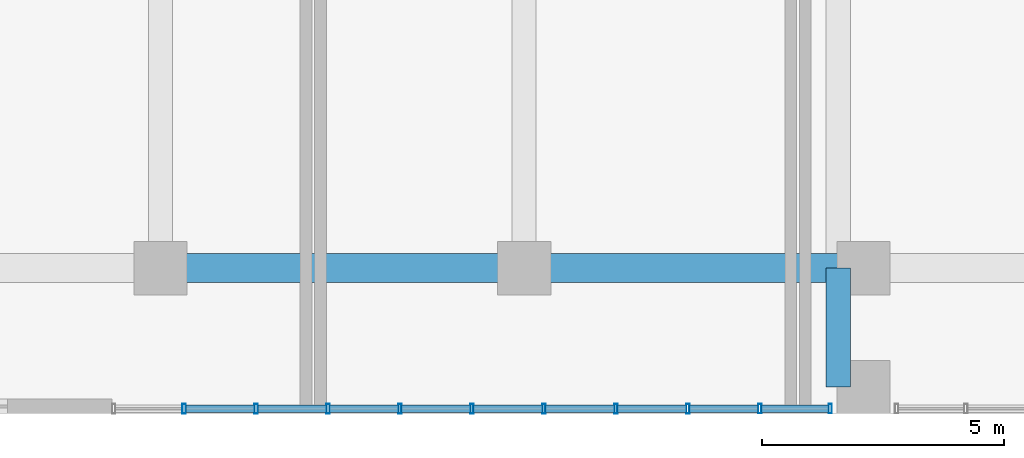
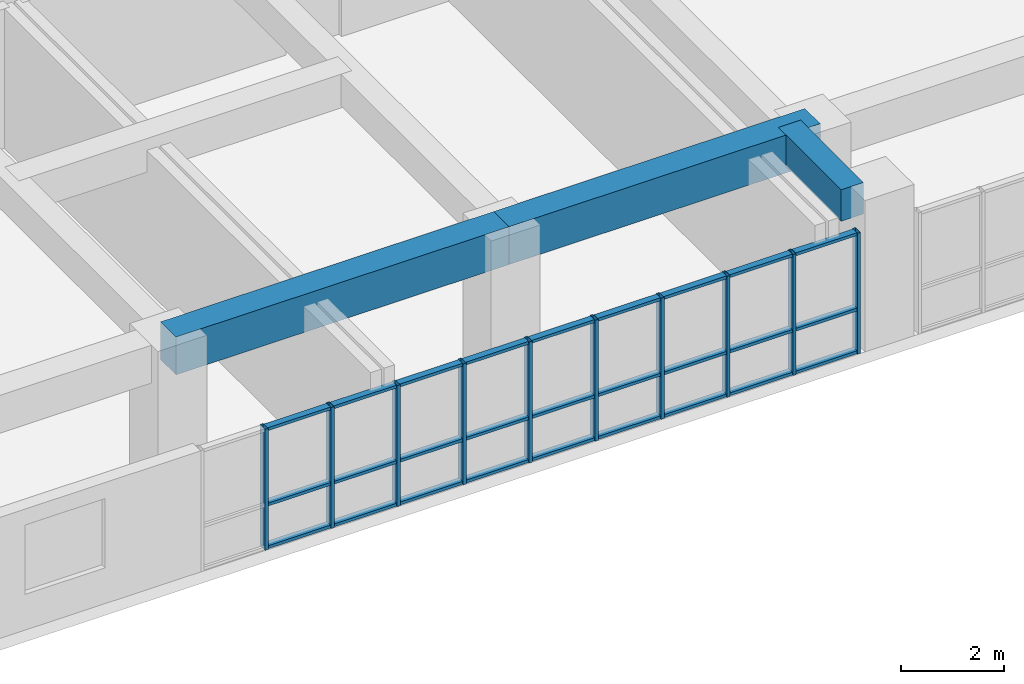
# One storey, part 4 of 30: 37 members, 3 beams, 1 element without a shape of its own.
"""IFC4 building model written with IfcOpenShell, lengths in metres."""

from ifc_helpers import new_model, si_unit, direction, frame, origin, origin_2d, place, context, subcontext, project, spatial, rectangle, hollow_rectangle, extrude, source, transform, mapped, material, layer, layer_set, material_profile, profile_set, type_object, element, aggregate, save


model = new_model("IFC4")

# Units and contexts
model_context = context("Model", 3, precision=1e-05, world=origin(), true_north=direction((0.0, 1.0)))
body_context = subcontext(model_context, "Body", "Model", "MODEL_VIEW")
ifc_project = project(units=[si_unit("LENGTHUNIT", "METRE"), si_unit("AREAUNIT", "SQUARE_METRE"), si_unit("VOLUMEUNIT", "CUBIC_METRE"), si_unit("PLANEANGLEUNIT", "RADIAN"), si_unit("MASSUNIT", "GRAM", prefix="KILO")], contexts=[model_context])

# Site, building, storey
site_placement = place(None, origin())
site = spatial("IfcSite", under=ifc_project, at=site_placement, CompositionType="ELEMENT")
building_placement = place(site_placement, origin())
building = spatial("IfcBuilding", under=site, at=building_placement, Name="Saelheon Loggia Tower", CompositionType="ELEMENT")
storey_placement = place(building_placement, frame((0.0, 0.0, 7.800048828125)))
storey = spatial("IfcBuildingStorey", under=building, at=storey_placement, Name="L02", CompositionType="ELEMENT", Elevation=7.800048828125)

# Beams
ifc_material_1 = material(Name="Concrete C50/60", Category="concrete")
ifc_material_profile_1 = material_profile(ifc_material_1, rectangle(XDim=0.60009765625, YDim=0.89990234375, at=origin_2d()), Name="RC-600x900")
ifc_profile_set_1 = profile_set([ifc_material_profile_1], Name="Concrete C50/60")
beam_type_1 = type_object("IfcBeamType", Name="Beam_MainGirder_RC600x900", PredefinedType="BEAM", material=ifc_profile_set_1)
shared_shape_1 = source(origin(), body_context, "Body", "SweptSolid", [
    extrude(rectangle(XDim=0.60009765625, YDim=0.89990234375, at=origin_2d()), origin(), (0.0, 0.0, 1.0), 7.5),
])
beam_1_placement = place(storey_placement, frame((17.0, 3.0, 3.14990234375), z_axis=(1.0, 0.0, 0.0), x_axis=(0.0, 1.0, 0.0)))
element("IfcBeam", 1, at=beam_1_placement, inside=storey, type_object=beam_type_1, Name="BM-L02-EW-3-2", PredefinedType="BEAM", context=body_context, shape_type="MappedRepresentation", body=[
    mapped(shared_shape_1, transform((0.0, 0.0, 0.0), scale=1.0)),
])
shared_shape_2 = source(origin(), body_context, "Body", "SweptSolid", [
    extrude(rectangle(XDim=0.60009765625, YDim=0.89990234375, at=origin_2d()), origin(), (0.0, 0.0, 1.0), 7.0),
])
beam_2_placement = place(storey_placement, frame((24.5, 3.0, 3.14990234375), z_axis=(1.0, 0.0, 0.0), x_axis=(0.0, 1.0, 0.0)))
element("IfcBeam", 2, at=beam_2_placement, inside=storey, type_object=beam_type_1, Name="BM-L02-EW-3-3", PredefinedType="BEAM", context=body_context, shape_type="MappedRepresentation", body=[
    mapped(shared_shape_2, transform((0.0, 0.0, 0.0), scale=1.0)),
])
ifc_material_2 = material(Name="Concrete C45/55", Category="concrete")
ifc_material_profile_2 = material_profile(ifc_material_2, rectangle(XDim=0.5, YDim=0.75, at=origin_2d()), Name="RC-500x750")
ifc_profile_set_2 = profile_set([ifc_material_profile_2], Name="Concrete C45/55")
beam_type_2 = type_object("IfcBeamType", Name="Beam_FloorGirder_RC500x750", PredefinedType="BEAM", material=ifc_profile_set_2)
shared_shape_3 = source(origin(), body_context, "Body", "SweptSolid", [
    extrude(rectangle(XDim=0.5, YDim=0.75, at=origin_2d()), origin(), (0.0, 0.0, 1.0), 2.449951171875),
])
beam_3_placement = place(storey_placement, frame((30.97998046875, 0.550048828125, 3.224853515625), z_axis=(0.0, 1.0, 0.0), x_axis=(-1.0, 0.0, 0.0)))
element("IfcBeam", 3, at=beam_3_placement, inside=storey, type_object=beam_type_2, Name="BM-L02-NS-30-1", PredefinedType="BEAM", context=body_context, shape_type="MappedRepresentation", body=[
    mapped(shared_shape_3, transform((0.0, 0.0, 0.0), scale=1.0)),
])

# Curtain wall, members
ifc_material_3 = material(Name="Aluminium 6063-T6 and Low-E IGU", Category="aluminium")
ifc_layer = layer(ifc_material_3, 0.179931640625)
ifc_layer_set = layer_set([ifc_layer], Name="Aluminium 6063-T6 and Low-E IGU")
curtain_wall_type = type_object("IfcCurtainWallType", Name="CW_PodiumClinic", PredefinedType="NOTDEFINED", material=ifc_layer_set)
curtain_wall_placement = place(storey_placement, origin())
curtain_wall = element("IfcCurtainWall", 4, at=curtain_wall_placement, inside=storey, type_object=curtain_wall_type, Name="L02 South Clinic Curtain Wall 1", PredefinedType="NOTDEFINED")
ifc_material_4 = material(Name="Anodised Aluminium 6063-T6", Category="aluminium")
ifc_material_profile_3 = material_profile(ifc_material_4, hollow_rectangle(XDim=0.070068359375, YDim=0.14990234375, WallThickness=0.0048828125, at=origin_2d()), Name="RHS-150x70x5")
ifc_profile_set_3 = profile_set([ifc_material_profile_3], Name="Anodised Aluminium 6063-T6")
member_type_1 = type_object("IfcMemberType", Name="CW_PodiumClinic_Transom", PredefinedType="USERDEFINED", material=ifc_profile_set_3)
shared_shape_4 = source(origin(), body_context, "Body", "SweptSolid", [
    extrude(hollow_rectangle(XDim=0.070068359375, YDim=0.14990234375, WallThickness=0.0048828125, at=origin_2d()), origin(), (0.0, 0.0, 1.0), 1.4150390625),
])
member_1_placement = place(storey_placement, frame((17.52001953125, 0.10009765625, 0.034912109375), z_axis=(1.0, 0.0, 0.0), x_axis=(0.0, 0.0, 1.0)))
member_1 = element("IfcMember", 5, at=member_1_placement, type_object=member_type_1, Name="CW1 transom 2.1", ObjectType="TRANSOM", PredefinedType="USERDEFINED", context=body_context, shape_type="MappedRepresentation", body=[
    mapped(shared_shape_4, transform((0.0, 0.0, 0.0), scale=1.0)),
])
member_2_placement = place(storey_placement, frame((17.52001953125, 0.10009765625, 1.050048828125), z_axis=(1.0, 0.0, 0.0), x_axis=(0.0, 0.0, 1.0)))
member_2 = element("IfcMember", 6, at=member_2_placement, type_object=member_type_1, Name="CW1 transom 2.2", ObjectType="TRANSOM", PredefinedType="USERDEFINED", context=body_context, shape_type="MappedRepresentation", body=[
    mapped(shared_shape_4, transform((0.0, 0.0, 0.0), scale=1.0)),
])
member_3_placement = place(storey_placement, frame((17.52001953125, 0.10009765625, 2.844970703125), z_axis=(1.0, 0.0, 0.0), x_axis=(0.0, 0.0, 1.0)))
member_3 = element("IfcMember", 7, at=member_3_placement, type_object=member_type_1, Name="CW1 transom 2.3", ObjectType="TRANSOM", PredefinedType="USERDEFINED", context=body_context, shape_type="MappedRepresentation", body=[
    mapped(shared_shape_4, transform((0.0, 0.0, 0.0), scale=1.0)),
])
member_4_placement = place(storey_placement, frame((19.0048828125, 0.10009765625, 0.034912109375), z_axis=(1.0, 0.0, 0.0), x_axis=(0.0, 0.0, 1.0)))
member_4 = element("IfcMember", 8, at=member_4_placement, type_object=member_type_1, Name="CW1 transom 3.1", ObjectType="TRANSOM", PredefinedType="USERDEFINED", context=body_context, shape_type="MappedRepresentation", body=[
    mapped(shared_shape_4, transform((0.0, 0.0, 0.0), scale=1.0)),
])
member_5_placement = place(storey_placement, frame((19.0048828125, 0.10009765625, 1.050048828125), z_axis=(1.0, 0.0, 0.0), x_axis=(0.0, 0.0, 1.0)))
member_5 = element("IfcMember", 9, at=member_5_placement, type_object=member_type_1, Name="CW1 transom 3.2", ObjectType="TRANSOM", PredefinedType="USERDEFINED", context=body_context, shape_type="MappedRepresentation", body=[
    mapped(shared_shape_4, transform((0.0, 0.0, 0.0), scale=1.0)),
])
member_6_placement = place(storey_placement, frame((19.0048828125, 0.10009765625, 2.844970703125), z_axis=(1.0, 0.0, 0.0), x_axis=(0.0, 0.0, 1.0)))
member_6 = element("IfcMember", 10, at=member_6_placement, type_object=member_type_1, Name="CW1 transom 3.3", ObjectType="TRANSOM", PredefinedType="USERDEFINED", context=body_context, shape_type="MappedRepresentation", body=[
    mapped(shared_shape_4, transform((0.0, 0.0, 0.0), scale=1.0)),
])
member_7_placement = place(storey_placement, frame((20.489990234375, 0.10009765625, 0.034912109375), z_axis=(1.0, 0.0, 0.0), x_axis=(0.0, 0.0, 1.0)))
member_7 = element("IfcMember", 11, at=member_7_placement, type_object=member_type_1, Name="CW1 transom 4.1", ObjectType="TRANSOM", PredefinedType="USERDEFINED", context=body_context, shape_type="MappedRepresentation", body=[
    mapped(shared_shape_4, transform((0.0, 0.0, 0.0), scale=1.0)),
])
member_8_placement = place(storey_placement, frame((20.489990234375, 0.10009765625, 1.050048828125), z_axis=(1.0, 0.0, 0.0), x_axis=(0.0, 0.0, 1.0)))
member_8 = element("IfcMember", 12, at=member_8_placement, type_object=member_type_1, Name="CW1 transom 4.2", ObjectType="TRANSOM", PredefinedType="USERDEFINED", context=body_context, shape_type="MappedRepresentation", body=[
    mapped(shared_shape_4, transform((0.0, 0.0, 0.0), scale=1.0)),
])
member_9_placement = place(storey_placement, frame((20.489990234375, 0.10009765625, 2.844970703125), z_axis=(1.0, 0.0, 0.0), x_axis=(0.0, 0.0, 1.0)))
member_9 = element("IfcMember", 13, at=member_9_placement, type_object=member_type_1, Name="CW1 transom 4.3", ObjectType="TRANSOM", PredefinedType="USERDEFINED", context=body_context, shape_type="MappedRepresentation", body=[
    mapped(shared_shape_4, transform((0.0, 0.0, 0.0), scale=1.0)),
])
member_10_placement = place(storey_placement, frame((23.4599609375, 0.10009765625, 0.034912109375), z_axis=(1.0, 0.0, 0.0), x_axis=(0.0, 0.0, 1.0)))
member_10 = element("IfcMember", 14, at=member_10_placement, type_object=member_type_1, Name="CW1 transom 6.1", ObjectType="TRANSOM", PredefinedType="USERDEFINED", context=body_context, shape_type="MappedRepresentation", body=[
    mapped(shared_shape_4, transform((0.0, 0.0, 0.0), scale=1.0)),
])
member_11_placement = place(storey_placement, frame((23.4599609375, 0.10009765625, 1.050048828125), z_axis=(1.0, 0.0, 0.0), x_axis=(0.0, 0.0, 1.0)))
member_11 = element("IfcMember", 15, at=member_11_placement, type_object=member_type_1, Name="CW1 transom 6.2", ObjectType="TRANSOM", PredefinedType="USERDEFINED", context=body_context, shape_type="MappedRepresentation", body=[
    mapped(shared_shape_4, transform((0.0, 0.0, 0.0), scale=1.0)),
])
member_12_placement = place(storey_placement, frame((23.4599609375, 0.10009765625, 2.844970703125), z_axis=(1.0, 0.0, 0.0), x_axis=(0.0, 0.0, 1.0)))
member_12 = element("IfcMember", 16, at=member_12_placement, type_object=member_type_1, Name="CW1 transom 6.3", ObjectType="TRANSOM", PredefinedType="USERDEFINED", context=body_context, shape_type="MappedRepresentation", body=[
    mapped(shared_shape_4, transform((0.0, 0.0, 0.0), scale=1.0)),
])
member_13_placement = place(storey_placement, frame((24.945068359375, 0.10009765625, 0.034912109375), z_axis=(1.0, 0.0, 0.0), x_axis=(0.0, 0.0, 1.0)))
member_13 = element("IfcMember", 17, at=member_13_placement, type_object=member_type_1, Name="CW1 transom 7.1", ObjectType="TRANSOM", PredefinedType="USERDEFINED", context=body_context, shape_type="MappedRepresentation", body=[
    mapped(shared_shape_4, transform((0.0, 0.0, 0.0), scale=1.0)),
])
member_14_placement = place(storey_placement, frame((24.945068359375, 0.10009765625, 1.050048828125), z_axis=(1.0, 0.0, 0.0), x_axis=(0.0, 0.0, 1.0)))
member_14 = element("IfcMember", 18, at=member_14_placement, type_object=member_type_1, Name="CW1 transom 7.2", ObjectType="TRANSOM", PredefinedType="USERDEFINED", context=body_context, shape_type="MappedRepresentation", body=[
    mapped(shared_shape_4, transform((0.0, 0.0, 0.0), scale=1.0)),
])
member_15_placement = place(storey_placement, frame((24.945068359375, 0.10009765625, 2.844970703125), z_axis=(1.0, 0.0, 0.0), x_axis=(0.0, 0.0, 1.0)))
member_15 = element("IfcMember", 19, at=member_15_placement, type_object=member_type_1, Name="CW1 transom 7.3", ObjectType="TRANSOM", PredefinedType="USERDEFINED", context=body_context, shape_type="MappedRepresentation", body=[
    mapped(shared_shape_4, transform((0.0, 0.0, 0.0), scale=1.0)),
])
member_16_placement = place(storey_placement, frame((26.429931640625, 0.10009765625, 0.034912109375), z_axis=(1.0, 0.0, 0.0), x_axis=(0.0, 0.0, 1.0)))
member_16 = element("IfcMember", 20, at=member_16_placement, type_object=member_type_1, Name="CW1 transom 8.1", ObjectType="TRANSOM", PredefinedType="USERDEFINED", context=body_context, shape_type="MappedRepresentation", body=[
    mapped(shared_shape_4, transform((0.0, 0.0, 0.0), scale=1.0)),
])
member_17_placement = place(storey_placement, frame((26.429931640625, 0.10009765625, 1.050048828125), z_axis=(1.0, 0.0, 0.0), x_axis=(0.0, 0.0, 1.0)))
member_17 = element("IfcMember", 21, at=member_17_placement, type_object=member_type_1, Name="CW1 transom 8.2", ObjectType="TRANSOM", PredefinedType="USERDEFINED", context=body_context, shape_type="MappedRepresentation", body=[
    mapped(shared_shape_4, transform((0.0, 0.0, 0.0), scale=1.0)),
])
member_18_placement = place(storey_placement, frame((26.429931640625, 0.10009765625, 2.844970703125), z_axis=(1.0, 0.0, 0.0), x_axis=(0.0, 0.0, 1.0)))
member_18 = element("IfcMember", 22, at=member_18_placement, type_object=member_type_1, Name="CW1 transom 8.3", ObjectType="TRANSOM", PredefinedType="USERDEFINED", context=body_context, shape_type="MappedRepresentation", body=[
    mapped(shared_shape_4, transform((0.0, 0.0, 0.0), scale=1.0)),
])
member_19_placement = place(storey_placement, frame((27.9150390625, 0.10009765625, 0.034912109375), z_axis=(1.0, 0.0, 0.0), x_axis=(0.0, 0.0, 1.0)))
member_19 = element("IfcMember", 23, at=member_19_placement, type_object=member_type_1, Name="CW1 transom 9.1", ObjectType="TRANSOM", PredefinedType="USERDEFINED", context=body_context, shape_type="MappedRepresentation", body=[
    mapped(shared_shape_4, transform((0.0, 0.0, 0.0), scale=1.0)),
])
member_20_placement = place(storey_placement, frame((27.9150390625, 0.10009765625, 1.050048828125), z_axis=(1.0, 0.0, 0.0), x_axis=(0.0, 0.0, 1.0)))
member_20 = element("IfcMember", 24, at=member_20_placement, type_object=member_type_1, Name="CW1 transom 9.2", ObjectType="TRANSOM", PredefinedType="USERDEFINED", context=body_context, shape_type="MappedRepresentation", body=[
    mapped(shared_shape_4, transform((0.0, 0.0, 0.0), scale=1.0)),
])
member_21_placement = place(storey_placement, frame((27.9150390625, 0.10009765625, 2.844970703125), z_axis=(1.0, 0.0, 0.0), x_axis=(0.0, 0.0, 1.0)))
member_21 = element("IfcMember", 25, at=member_21_placement, type_object=member_type_1, Name="CW1 transom 9.3", ObjectType="TRANSOM", PredefinedType="USERDEFINED", context=body_context, shape_type="MappedRepresentation", body=[
    mapped(shared_shape_4, transform((0.0, 0.0, 0.0), scale=1.0)),
])
shared_shape_5 = source(origin(), body_context, "Body", "SweptSolid", [
    extrude(hollow_rectangle(XDim=0.070068359375, YDim=0.14990234375, WallThickness=0.0048828125, at=origin_2d()), origin(), (0.0, 0.0, 1.0), 1.414794921875),
])
member_22_placement = place(storey_placement, frame((21.97509765625, 0.10009765625, 0.034912109375), z_axis=(1.0, 0.0, 0.0), x_axis=(0.0, 0.0, 1.0)))
member_22 = element("IfcMember", 26, at=member_22_placement, type_object=member_type_1, Name="CW1 transom 5.1", ObjectType="TRANSOM", PredefinedType="USERDEFINED", context=body_context, shape_type="MappedRepresentation", body=[
    mapped(shared_shape_5, transform((0.0, 0.0, 0.0), scale=1.0)),
])
member_23_placement = place(storey_placement, frame((21.97509765625, 0.10009765625, 1.050048828125), z_axis=(1.0, 0.0, 0.0), x_axis=(0.0, 0.0, 1.0)))
member_23 = element("IfcMember", 27, at=member_23_placement, type_object=member_type_1, Name="CW1 transom 5.2", ObjectType="TRANSOM", PredefinedType="USERDEFINED", context=body_context, shape_type="MappedRepresentation", body=[
    mapped(shared_shape_5, transform((0.0, 0.0, 0.0), scale=1.0)),
])
member_24_placement = place(storey_placement, frame((21.97509765625, 0.10009765625, 2.844970703125), z_axis=(1.0, 0.0, 0.0), x_axis=(0.0, 0.0, 1.0)))
member_24 = element("IfcMember", 28, at=member_24_placement, type_object=member_type_1, Name="CW1 transom 5.3", ObjectType="TRANSOM", PredefinedType="USERDEFINED", context=body_context, shape_type="MappedRepresentation", body=[
    mapped(shared_shape_5, transform((0.0, 0.0, 0.0), scale=1.0)),
])
shared_shape_6 = source(origin(), body_context, "Body", "SweptSolid", [
    extrude(hollow_rectangle(XDim=0.070068359375, YDim=0.14990234375, WallThickness=0.0048828125, at=origin_2d()), origin(), (0.0, 0.0, 1.0), 1.380126953125),
])
member_25_placement = place(storey_placement, frame((29.39990234375, 0.10009765625, 0.034912109375), z_axis=(1.0, 0.0, 0.0), x_axis=(0.0, 0.0, 1.0)))
member_25 = element("IfcMember", 29, at=member_25_placement, type_object=member_type_1, Name="CW1 transom 10.1", ObjectType="TRANSOM", PredefinedType="USERDEFINED", context=body_context, shape_type="MappedRepresentation", body=[
    mapped(shared_shape_6, transform((0.0, 0.0, 0.0), scale=1.0)),
])
member_26_placement = place(storey_placement, frame((29.39990234375, 0.10009765625, 1.050048828125), z_axis=(1.0, 0.0, 0.0), x_axis=(0.0, 0.0, 1.0)))
member_26 = element("IfcMember", 30, at=member_26_placement, type_object=member_type_1, Name="CW1 transom 10.2", ObjectType="TRANSOM", PredefinedType="USERDEFINED", context=body_context, shape_type="MappedRepresentation", body=[
    mapped(shared_shape_6, transform((0.0, 0.0, 0.0), scale=1.0)),
])
member_27_placement = place(storey_placement, frame((29.39990234375, 0.10009765625, 2.844970703125), z_axis=(1.0, 0.0, 0.0), x_axis=(0.0, 0.0, 1.0)))
member_27 = element("IfcMember", 31, at=member_27_placement, type_object=member_type_1, Name="CW1 transom 10.3", ObjectType="TRANSOM", PredefinedType="USERDEFINED", context=body_context, shape_type="MappedRepresentation", body=[
    mapped(shared_shape_6, transform((0.0, 0.0, 0.0), scale=1.0)),
])
ifc_material_profile_4 = material_profile(ifc_material_4, hollow_rectangle(XDim=0.070068359375, YDim=0.199951171875, WallThickness=0.0048828125, at=origin_2d()), Name="RHS-200x70x5")
ifc_profile_set_4 = profile_set([ifc_material_profile_4], Name="Anodised Aluminium 6063-T6")
member_type_2 = type_object("IfcMemberType", Name="CW_PodiumClinic_Mullion", PredefinedType="MULLION", material=ifc_profile_set_4)
shared_shape_7 = source(origin(), body_context, "Body", "SweptSolid", [
    extrude(hollow_rectangle(XDim=0.070068359375, YDim=0.199951171875, WallThickness=0.0048828125, at=origin_2d()), origin(), (0.0, 0.0, 1.0), 2.8798828125),
])
member_28_placement = place(storey_placement, frame((17.485107421875, 0.10009765625, 0.0), z_axis=(0.0, 0.0, 1.0), x_axis=(1.0, 0.0, 0.0)))
member_28 = element("IfcMember", 32, at=member_28_placement, type_object=member_type_2, Name="CW1 mullion 2", PredefinedType="MULLION", context=body_context, shape_type="MappedRepresentation", body=[
    mapped(shared_shape_7, transform((0.0, 0.0, 0.0), scale=1.0)),
])
member_29_placement = place(storey_placement, frame((18.969970703125, 0.10009765625, 0.0), z_axis=(0.0, 0.0, 1.0), x_axis=(1.0, 0.0, 0.0)))
member_29 = element("IfcMember", 33, at=member_29_placement, type_object=member_type_2, Name="CW1 mullion 3", PredefinedType="MULLION", context=body_context, shape_type="MappedRepresentation", body=[
    mapped(shared_shape_7, transform((0.0, 0.0, 0.0), scale=1.0)),
])
member_30_placement = place(storey_placement, frame((20.455078125, 0.10009765625, 0.0), z_axis=(0.0, 0.0, 1.0), x_axis=(1.0, 0.0, 0.0)))
member_30 = element("IfcMember", 34, at=member_30_placement, type_object=member_type_2, Name="CW1 mullion 4", PredefinedType="MULLION", context=body_context, shape_type="MappedRepresentation", body=[
    mapped(shared_shape_7, transform((0.0, 0.0, 0.0), scale=1.0)),
])
member_31_placement = place(storey_placement, frame((21.93994140625, 0.10009765625, 0.0), z_axis=(0.0, 0.0, 1.0), x_axis=(1.0, 0.0, 0.0)))
member_31 = element("IfcMember", 35, at=member_31_placement, type_object=member_type_2, Name="CW1 mullion 5", PredefinedType="MULLION", context=body_context, shape_type="MappedRepresentation", body=[
    mapped(shared_shape_7, transform((0.0, 0.0, 0.0), scale=1.0)),
])
member_32_placement = place(storey_placement, frame((23.425048828125, 0.10009765625, 0.0), z_axis=(0.0, 0.0, 1.0), x_axis=(1.0, 0.0, 0.0)))
member_32 = element("IfcMember", 36, at=member_32_placement, type_object=member_type_2, Name="CW1 mullion 6", PredefinedType="MULLION", context=body_context, shape_type="MappedRepresentation", body=[
    mapped(shared_shape_7, transform((0.0, 0.0, 0.0), scale=1.0)),
])
member_33_placement = place(storey_placement, frame((24.909912109375, 0.10009765625, 0.0), z_axis=(0.0, 0.0, 1.0), x_axis=(1.0, 0.0, 0.0)))
member_33 = element("IfcMember", 37, at=member_33_placement, type_object=member_type_2, Name="CW1 mullion 7", PredefinedType="MULLION", context=body_context, shape_type="MappedRepresentation", body=[
    mapped(shared_shape_7, transform((0.0, 0.0, 0.0), scale=1.0)),
])
member_34_placement = place(storey_placement, frame((26.39501953125, 0.10009765625, 0.0), z_axis=(0.0, 0.0, 1.0), x_axis=(1.0, 0.0, 0.0)))
member_34 = element("IfcMember", 38, at=member_34_placement, type_object=member_type_2, Name="CW1 mullion 8", PredefinedType="MULLION", context=body_context, shape_type="MappedRepresentation", body=[
    mapped(shared_shape_7, transform((0.0, 0.0, 0.0), scale=1.0)),
])
member_35_placement = place(storey_placement, frame((27.8798828125, 0.10009765625, 0.0), z_axis=(0.0, 0.0, 1.0), x_axis=(1.0, 0.0, 0.0)))
member_35 = element("IfcMember", 39, at=member_35_placement, type_object=member_type_2, Name="CW1 mullion 9", PredefinedType="MULLION", context=body_context, shape_type="MappedRepresentation", body=[
    mapped(shared_shape_7, transform((0.0, 0.0, 0.0), scale=1.0)),
])
member_36_placement = place(storey_placement, frame((29.364990234375, 0.10009765625, 0.0), z_axis=(0.0, 0.0, 1.0), x_axis=(1.0, 0.0, 0.0)))
member_36 = element("IfcMember", 40, at=member_36_placement, type_object=member_type_2, Name="CW1 mullion 10", PredefinedType="MULLION", context=body_context, shape_type="MappedRepresentation", body=[
    mapped(shared_shape_7, transform((0.0, 0.0, 0.0), scale=1.0)),
])
member_37_placement = place(storey_placement, frame((30.81494140625, 0.10009765625, 0.0), z_axis=(0.0, 0.0, 1.0), x_axis=(1.0, 0.0, 0.0)))
member_37 = element("IfcMember", 41, at=member_37_placement, type_object=member_type_2, Name="CW1 mullion 11", PredefinedType="MULLION", context=body_context, shape_type="MappedRepresentation", body=[
    mapped(shared_shape_7, transform((0.0, 0.0, 0.0), scale=1.0)),
])
aggregate(curtain_wall, [member_28, member_29, member_30, member_31, member_32, member_33, member_34, member_35, member_36, member_37, member_1, member_2, member_3, member_4, member_5, member_6, member_7, member_8, member_9, member_22, member_23, member_24, member_10, member_11, member_12, member_13, member_14, member_15, member_16, member_17, member_18, member_19, member_20, member_21, member_25, member_26, member_27])

save(model, "model.ifc")
